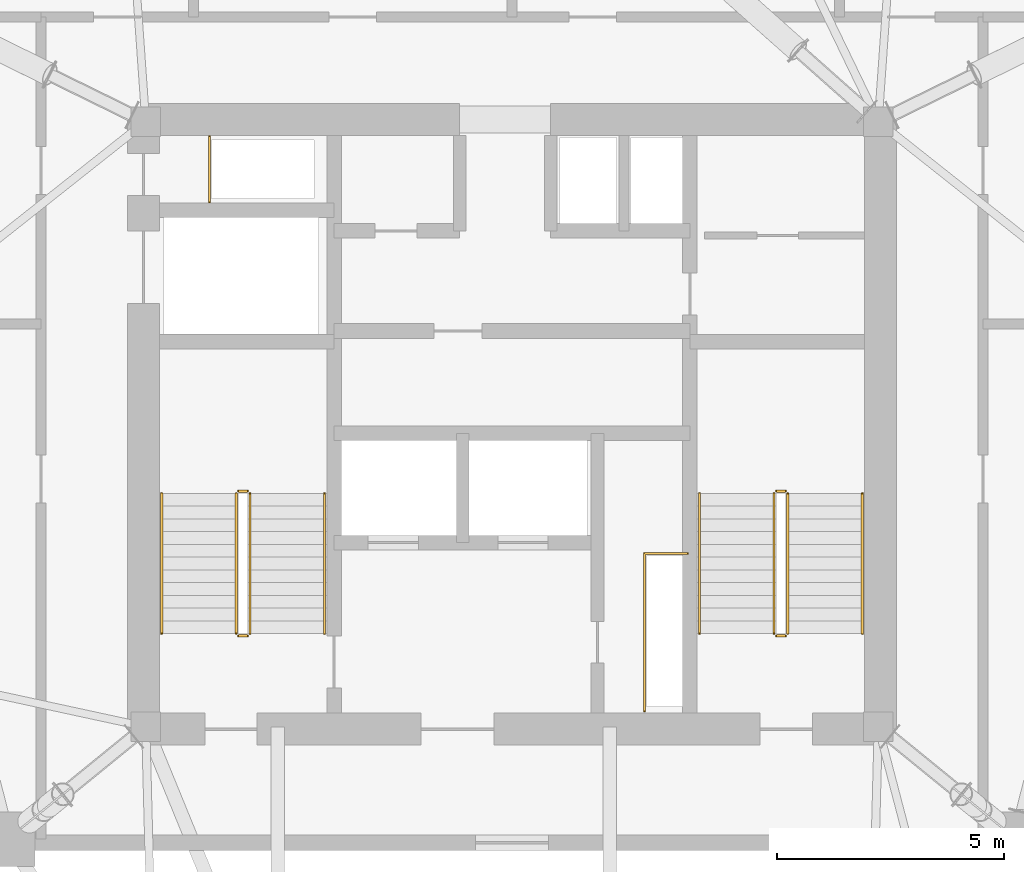
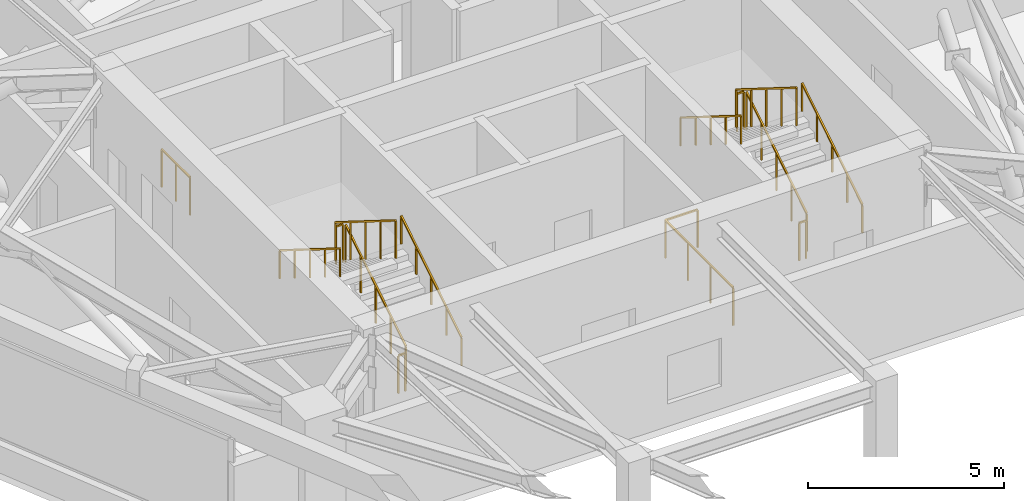
# One storey, part 9 of 9: 14 railings.
"""IFC4 building model written with IfcOpenShell, lengths in metres."""

from ifc_helpers import new_model, si_unit, direction, frame, origin, origin_2d, place, context, subcontext, project, spatial, rectangle, extrude, material, type_object, element, save


model = new_model("IFC4")

# Units and contexts
model_context = context("Model", 3, precision=1e-05, world=origin(), true_north=direction((0.0, 1.0)))
body_context = subcontext(model_context, "Body", "Model", "MODEL_VIEW")
ifc_project = project(units=[si_unit("LENGTHUNIT", "METRE"), si_unit("AREAUNIT", "SQUARE_METRE"), si_unit("VOLUMEUNIT", "CUBIC_METRE"), si_unit("PLANEANGLEUNIT", "RADIAN"), si_unit("MASSUNIT", "GRAM", prefix="KILO")], contexts=[model_context])

# Site, building, storey
site_placement = place(None, origin())
site = spatial("IfcSite", under=ifc_project, at=site_placement, CompositionType="ELEMENT")
building_placement = place(site_placement, origin())
building = spatial("IfcBuilding", under=site, at=building_placement, Name="Talyreon Biosciences Tower", CompositionType="ELEMENT")
storey_placement = place(building_placement, frame((0.0, 0.0, 279.60009765625)))
storey = spatial("IfcBuildingStorey", under=building, at=storey_placement, Name="L74", CompositionType="ELEMENT", Elevation=279.60009765625)

# Railings
ifc_material_1 = material(Name="Brushed stainless-steel tubular handrail", Category="steel")
railing_type_1 = type_object("IfcRailingType", Name="StairWallHandrail_900", PredefinedType="HANDRAIL", material=ifc_material_1)
railing_1_placement = place(storey_placement, frame((61.8798828125, 63.39990234375, 0.1748046875)))
element("IfcRailing", 1, at=railing_1_placement, inside=storey, type_object=railing_type_1, Name="L74 ST-1 stair handrail 1", PredefinedType="HANDRAIL", context=body_context, shape_type="SweptSolid", body=[
    extrude(rectangle(XDim=0.048095703125, YDim=0.048095703125, at=origin_2d()), frame((0.0, 0.0, 0.8759765625), z_axis=(0.0, 0.847998304005, 0.529998940003), x_axis=(-1.0, 0.0, 0.0)), (0.0, 0.0, 1.0), 3.632080078125),
    extrude(rectangle(XDim=0.0419921875, YDim=0.0419921875, at=origin_2d()), origin(), (0.0, 0.0, 1.0), 0.851806640625),
    extrude(rectangle(XDim=0.0419921875, YDim=0.0419921875, at=origin_2d()), frame((0.0, 0.77001953125, 0.481201171875)), (0.0, 0.0, 1.0), 0.851806640625),
    extrude(rectangle(XDim=0.0419921875, YDim=0.0419921875, at=origin_2d()), frame((0.0, 1.5400390625, 0.96240234375)), (0.0, 0.0, 1.0), 0.851806640625),
    extrude(rectangle(XDim=0.0419921875, YDim=0.0419921875, at=origin_2d()), frame((0.0, 2.31005859375, 1.44384765625)), (0.0, 0.0, 1.0), 0.851806640625),
    extrude(rectangle(XDim=0.0419921875, YDim=0.0419921875, at=origin_2d()), frame((0.0, 3.080078125, 1.925048828125)), (0.0, 0.0, 1.0), 0.851806640625),
])
railing_2_placement = place(storey_placement, frame((58.300048828125, 66.47998046875, 2.27490234375)))
element("IfcRailing", 2, at=railing_2_placement, inside=storey, type_object=railing_type_1, Name="L74 ST-1 stair handrail 2", PredefinedType="HANDRAIL", context=body_context, shape_type="SweptSolid", body=[
    extrude(rectangle(XDim=0.048095703125, YDim=0.048095703125, at=origin_2d()), frame((0.0, 0.0, 0.8759765625), z_axis=(0.0, -0.847998304005, 0.529998940003), x_axis=(1.0, 0.0, 0.0)), (0.0, 0.0, 1.0), 3.632080078125),
    extrude(rectangle(XDim=0.0419921875, YDim=0.0419921875, at=origin_2d()), origin(), (0.0, 0.0, 1.0), 0.851806640625),
    extrude(rectangle(XDim=0.0419921875, YDim=0.0419921875, at=origin_2d()), frame((0.0, -0.77001953125, 0.481201171875)), (0.0, 0.0, 1.0), 0.851806640625),
    extrude(rectangle(XDim=0.0419921875, YDim=0.0419921875, at=origin_2d()), frame((0.0, -1.5400390625, 0.96240234375)), (0.0, 0.0, 1.0), 0.851806640625),
    extrude(rectangle(XDim=0.0419921875, YDim=0.0419921875, at=origin_2d()), frame((0.0, -2.31005859375, 1.44384765625)), (0.0, 0.0, 1.0), 0.851806640625),
    extrude(rectangle(XDim=0.0419921875, YDim=0.0419921875, at=origin_2d()), frame((0.0, -3.080078125, 1.925048828125)), (0.0, 0.0, 1.0), 0.851806640625),
])
railing_3_placement = place(storey_placement, frame((73.699951171875, 63.39990234375, 0.1748046875)))
element("IfcRailing", 3, at=railing_3_placement, inside=storey, type_object=railing_type_1, Name="L74 ST-2 stair handrail 1", PredefinedType="HANDRAIL", context=body_context, shape_type="SweptSolid", body=[
    extrude(rectangle(XDim=0.048095703125, YDim=0.048095703125, at=origin_2d()), frame((0.0, 0.0, 0.8759765625), z_axis=(0.0, 0.847998304005, 0.529998940003), x_axis=(-1.0, 0.0, 0.0)), (0.0, 0.0, 1.0), 3.632080078125),
    extrude(rectangle(XDim=0.0419921875, YDim=0.0419921875, at=origin_2d()), origin(), (0.0, 0.0, 1.0), 0.851806640625),
    extrude(rectangle(XDim=0.0419921875, YDim=0.0419921875, at=origin_2d()), frame((0.0, 0.77001953125, 0.481201171875)), (0.0, 0.0, 1.0), 0.851806640625),
    extrude(rectangle(XDim=0.0419921875, YDim=0.0419921875, at=origin_2d()), frame((0.0, 1.5400390625, 0.96240234375)), (0.0, 0.0, 1.0), 0.851806640625),
    extrude(rectangle(XDim=0.0419921875, YDim=0.0419921875, at=origin_2d()), frame((0.0, 2.31005859375, 1.44384765625)), (0.0, 0.0, 1.0), 0.851806640625),
    extrude(rectangle(XDim=0.0419921875, YDim=0.0419921875, at=origin_2d()), frame((0.0, 3.080078125, 1.925048828125)), (0.0, 0.0, 1.0), 0.851806640625),
])
railing_4_placement = place(storey_placement, frame((70.1201171875, 66.47998046875, 2.27490234375)))
element("IfcRailing", 4, at=railing_4_placement, inside=storey, type_object=railing_type_1, Name="L74 ST-2 stair handrail 2", PredefinedType="HANDRAIL", context=body_context, shape_type="SweptSolid", body=[
    extrude(rectangle(XDim=0.048095703125, YDim=0.048095703125, at=origin_2d()), frame((0.0, 0.0, 0.8759765625), z_axis=(0.0, -0.847998304005, 0.529998940003), x_axis=(1.0, 0.0, 0.0)), (0.0, 0.0, 1.0), 3.632080078125),
    extrude(rectangle(XDim=0.0419921875, YDim=0.0419921875, at=origin_2d()), origin(), (0.0, 0.0, 1.0), 0.851806640625),
    extrude(rectangle(XDim=0.0419921875, YDim=0.0419921875, at=origin_2d()), frame((0.0, -0.77001953125, 0.481201171875)), (0.0, 0.0, 1.0), 0.851806640625),
    extrude(rectangle(XDim=0.0419921875, YDim=0.0419921875, at=origin_2d()), frame((0.0, -1.5400390625, 0.96240234375)), (0.0, 0.0, 1.0), 0.851806640625),
    extrude(rectangle(XDim=0.0419921875, YDim=0.0419921875, at=origin_2d()), frame((0.0, -2.31005859375, 1.44384765625)), (0.0, 0.0, 1.0), 0.851806640625),
    extrude(rectangle(XDim=0.0419921875, YDim=0.0419921875, at=origin_2d()), frame((0.0, -3.080078125, 1.925048828125)), (0.0, 0.0, 1.0), 0.851806640625),
])
ifc_material_2 = material(Name="Painted galvanised steel post-and-rail balustrade", Category="steel")
railing_type_2 = type_object("IfcRailingType", Name="TerraceStairGuard_1200", PredefinedType="GUARDRAIL", material=ifc_material_2)
railing_5_placement = place(storey_placement, frame((60.239990234375, 63.39990234375, 0.1748046875)))
element("IfcRailing", 5, at=railing_5_placement, inside=storey, type_object=railing_type_2, Name="L74 ST-1 stair guard 1", PredefinedType="GUARDRAIL", context=body_context, shape_type="SweptSolid", body=[
    extrude(rectangle(XDim=0.048095703125, YDim=0.048095703125, at=origin_2d()), frame((0.0, 0.0, 1.17578125), z_axis=(0.0, 0.847998304005, 0.529998940003), x_axis=(-1.0, 0.0, 0.0)), (0.0, 0.0, 1.0), 3.632080078125),
    extrude(rectangle(XDim=0.0419921875, YDim=0.0419921875, at=origin_2d()), origin(), (0.0, 0.0, 1.0), 1.15185546875),
    extrude(rectangle(XDim=0.0419921875, YDim=0.0419921875, at=origin_2d()), frame((0.0, 0.77001953125, 0.481201171875)), (0.0, 0.0, 1.0), 1.15185546875),
    extrude(rectangle(XDim=0.0419921875, YDim=0.0419921875, at=origin_2d()), frame((0.0, 1.5400390625, 0.96240234375)), (0.0, 0.0, 1.0), 1.15185546875),
    extrude(rectangle(XDim=0.0419921875, YDim=0.0419921875, at=origin_2d()), frame((0.0, 2.31005859375, 1.44384765625)), (0.0, 0.0, 1.0), 1.15185546875),
    extrude(rectangle(XDim=0.0419921875, YDim=0.0419921875, at=origin_2d()), frame((0.0, 3.080078125, 1.925048828125)), (0.0, 0.0, 1.0), 1.15185546875),
])
railing_6_placement = place(storey_placement, frame((60.18994140625, 66.530029296875, 2.099853515625)))
element("IfcRailing", 6, at=railing_6_placement, inside=storey, type_object=railing_type_2, Name="L74 ST-1 stair guard 2", PredefinedType="GUARDRAIL", context=body_context, shape_type="SweptSolid", body=[
    extrude(rectangle(XDim=0.048095703125, YDim=0.048095703125, at=origin_2d()), frame((0.0, 0.0, 1.17578125), z_axis=(-1.0, 0.0, 0.0), x_axis=(0.0, -1.0, 0.0)), (0.0, 0.0, 1.0), 0.199951171875),
    extrude(rectangle(XDim=0.0419921875, YDim=0.0419921875, at=origin_2d()), origin(), (0.0, 0.0, 1.0), 1.15185546875),
    extrude(rectangle(XDim=0.0419921875, YDim=0.0419921875, at=origin_2d()), frame((-0.199951171875, 0.0, 0.0)), (0.0, 0.0, 1.0), 1.15185546875),
])
railing_7_placement = place(storey_placement, frame((59.93994140625, 66.47998046875, 2.27490234375)))
element("IfcRailing", 7, at=railing_7_placement, inside=storey, type_object=railing_type_2, Name="L74 ST-1 stair guard 3", PredefinedType="GUARDRAIL", context=body_context, shape_type="SweptSolid", body=[
    extrude(rectangle(XDim=0.048095703125, YDim=0.048095703125, at=origin_2d()), frame((0.0, 0.0, 1.17578125), z_axis=(0.0, -0.847998304005, 0.529998940003), x_axis=(1.0, 0.0, 0.0)), (0.0, 0.0, 1.0), 3.632080078125),
    extrude(rectangle(XDim=0.0419921875, YDim=0.0419921875, at=origin_2d()), origin(), (0.0, 0.0, 1.0), 1.15185546875),
    extrude(rectangle(XDim=0.0419921875, YDim=0.0419921875, at=origin_2d()), frame((0.0, -0.77001953125, 0.481201171875)), (0.0, 0.0, 1.0), 1.15185546875),
    extrude(rectangle(XDim=0.0419921875, YDim=0.0419921875, at=origin_2d()), frame((0.0, -1.5400390625, 0.96240234375)), (0.0, 0.0, 1.0), 1.15185546875),
    extrude(rectangle(XDim=0.0419921875, YDim=0.0419921875, at=origin_2d()), frame((0.0, -2.31005859375, 1.44384765625)), (0.0, 0.0, 1.0), 1.15185546875),
    extrude(rectangle(XDim=0.0419921875, YDim=0.0419921875, at=origin_2d()), frame((0.0, -3.080078125, 1.925048828125)), (0.0, 0.0, 1.0), 1.15185546875),
])
railing_8_placement = place(storey_placement, frame((60.18994140625, 63.35009765625, 0.0)))
element("IfcRailing", 8, at=railing_8_placement, inside=storey, type_object=railing_type_2, Name="L74 ST-1 stair guard 4", PredefinedType="GUARDRAIL", context=body_context, shape_type="SweptSolid", body=[
    extrude(rectangle(XDim=0.048095703125, YDim=0.048095703125, at=origin_2d()), frame((0.0, 0.0, 1.17578125), z_axis=(-1.0, 0.0, 0.0), x_axis=(0.0, -1.0, 0.0)), (0.0, 0.0, 1.0), 0.199951171875),
    extrude(rectangle(XDim=0.0419921875, YDim=0.0419921875, at=origin_2d()), origin(), (0.0, 0.0, 1.0), 1.15185546875),
    extrude(rectangle(XDim=0.0419921875, YDim=0.0419921875, at=origin_2d()), frame((-0.199951171875, 0.0, 0.0)), (0.0, 0.0, 1.0), 1.15185546875),
])
railing_9_placement = place(storey_placement, frame((72.06005859375, 63.39990234375, 0.1748046875)))
element("IfcRailing", 9, at=railing_9_placement, inside=storey, type_object=railing_type_2, Name="L74 ST-2 stair guard 1", PredefinedType="GUARDRAIL", context=body_context, shape_type="SweptSolid", body=[
    extrude(rectangle(XDim=0.048095703125, YDim=0.048095703125, at=origin_2d()), frame((0.0, 0.0, 1.17578125), z_axis=(0.0, 0.847998304005, 0.529998940003), x_axis=(-1.0, 0.0, 0.0)), (0.0, 0.0, 1.0), 3.632080078125),
    extrude(rectangle(XDim=0.0419921875, YDim=0.0419921875, at=origin_2d()), origin(), (0.0, 0.0, 1.0), 1.15185546875),
    extrude(rectangle(XDim=0.0419921875, YDim=0.0419921875, at=origin_2d()), frame((0.0, 0.77001953125, 0.481201171875)), (0.0, 0.0, 1.0), 1.15185546875),
    extrude(rectangle(XDim=0.0419921875, YDim=0.0419921875, at=origin_2d()), frame((0.0, 1.5400390625, 0.96240234375)), (0.0, 0.0, 1.0), 1.15185546875),
    extrude(rectangle(XDim=0.0419921875, YDim=0.0419921875, at=origin_2d()), frame((0.0, 2.31005859375, 1.44384765625)), (0.0, 0.0, 1.0), 1.15185546875),
    extrude(rectangle(XDim=0.0419921875, YDim=0.0419921875, at=origin_2d()), frame((0.0, 3.080078125, 1.925048828125)), (0.0, 0.0, 1.0), 1.15185546875),
])
railing_10_placement = place(storey_placement, frame((72.010009765625, 66.530029296875, 2.099853515625)))
element("IfcRailing", 10, at=railing_10_placement, inside=storey, type_object=railing_type_2, Name="L74 ST-2 stair guard 2", PredefinedType="GUARDRAIL", context=body_context, shape_type="SweptSolid", body=[
    extrude(rectangle(XDim=0.048095703125, YDim=0.048095703125, at=origin_2d()), frame((0.0, 0.0, 1.17578125), z_axis=(-1.0, 0.0, 0.0), x_axis=(0.0, -1.0, 0.0)), (0.0, 0.0, 1.0), 0.199951171875),
    extrude(rectangle(XDim=0.0419921875, YDim=0.0419921875, at=origin_2d()), origin(), (0.0, 0.0, 1.0), 1.15185546875),
    extrude(rectangle(XDim=0.0419921875, YDim=0.0419921875, at=origin_2d()), frame((-0.199951171875, 0.0, 0.0)), (0.0, 0.0, 1.0), 1.15185546875),
])
railing_11_placement = place(storey_placement, frame((71.760009765625, 66.47998046875, 2.27490234375)))
element("IfcRailing", 11, at=railing_11_placement, inside=storey, type_object=railing_type_2, Name="L74 ST-2 stair guard 3", PredefinedType="GUARDRAIL", context=body_context, shape_type="SweptSolid", body=[
    extrude(rectangle(XDim=0.048095703125, YDim=0.048095703125, at=origin_2d()), frame((0.0, 0.0, 1.17578125), z_axis=(0.0, -0.847998304005, 0.529998940003), x_axis=(1.0, 0.0, 0.0)), (0.0, 0.0, 1.0), 3.632080078125),
    extrude(rectangle(XDim=0.0419921875, YDim=0.0419921875, at=origin_2d()), origin(), (0.0, 0.0, 1.0), 1.15185546875),
    extrude(rectangle(XDim=0.0419921875, YDim=0.0419921875, at=origin_2d()), frame((0.0, -0.77001953125, 0.481201171875)), (0.0, 0.0, 1.0), 1.15185546875),
    extrude(rectangle(XDim=0.0419921875, YDim=0.0419921875, at=origin_2d()), frame((0.0, -1.5400390625, 0.96240234375)), (0.0, 0.0, 1.0), 1.15185546875),
    extrude(rectangle(XDim=0.0419921875, YDim=0.0419921875, at=origin_2d()), frame((0.0, -2.31005859375, 1.44384765625)), (0.0, 0.0, 1.0), 1.15185546875),
    extrude(rectangle(XDim=0.0419921875, YDim=0.0419921875, at=origin_2d()), frame((0.0, -3.080078125, 1.925048828125)), (0.0, 0.0, 1.0), 1.15185546875),
])
railing_12_placement = place(storey_placement, frame((72.010009765625, 63.35009765625, 0.0)))
element("IfcRailing", 12, at=railing_12_placement, inside=storey, type_object=railing_type_2, Name="L74 ST-2 stair guard 4", PredefinedType="GUARDRAIL", context=body_context, shape_type="SweptSolid", body=[
    extrude(rectangle(XDim=0.048095703125, YDim=0.048095703125, at=origin_2d()), frame((0.0, 0.0, 1.17578125), z_axis=(-1.0, 0.0, 0.0), x_axis=(0.0, -1.0, 0.0)), (0.0, 0.0, 1.0), 0.199951171875),
    extrude(rectangle(XDim=0.0419921875, YDim=0.0419921875, at=origin_2d()), origin(), (0.0, 0.0, 1.0), 1.15185546875),
    extrude(rectangle(XDim=0.0419921875, YDim=0.0419921875, at=origin_2d()), frame((-0.199951171875, 0.0, 0.0)), (0.0, 0.0, 1.0), 1.15185546875),
])
railing_13_placement = place(storey_placement, frame((59.35009765625, 72.8798828125, 0.0)))
element("IfcRailing", 13, at=railing_13_placement, inside=storey, type_object=railing_type_2, Name="L74 Exhaust Riser Maintenance Guardrail", PredefinedType="GUARDRAIL", context=body_context, shape_type="SweptSolid", body=[
    extrude(rectangle(XDim=0.048095703125, YDim=0.048095703125, at=origin_2d()), frame((0.0, 0.0, 1.17578125), z_axis=(0.0, 1.0, 0.0), x_axis=(-1.0, 0.0, 0.0)), (0.0, 0.0, 1.0), 1.4501953125),
    extrude(rectangle(XDim=0.0419921875, YDim=0.0419921875, at=origin_2d()), origin(), (0.0, 0.0, 1.0), 1.15185546875),
    extrude(rectangle(XDim=0.0419921875, YDim=0.0419921875, at=origin_2d()), frame((0.0, 0.72509765625, 0.0)), (0.0, 0.0, 1.0), 1.15185546875),
    extrude(rectangle(XDim=0.0419921875, YDim=0.0419921875, at=origin_2d()), frame((0.0, 1.4501953125, 0.0)), (0.0, 0.0, 1.0), 1.15185546875),
])
railing_14_placement = place(storey_placement, frame((68.909912109375, 61.699951171875, 0.0)))
element("IfcRailing", 14, at=railing_14_placement, inside=storey, type_object=railing_type_2, Name="L74 Electrical Riser Maintenance Guardrail", PredefinedType="GUARDRAIL", context=body_context, shape_type="SweptSolid", body=[
    extrude(rectangle(XDim=0.048095703125, YDim=0.048095703125, at=origin_2d()), frame((0.0, 0.0, 1.17578125), z_axis=(0.0, 1.0, 0.0), x_axis=(-1.0, 0.0, 0.0)), (0.0, 0.0, 1.0), 3.4599609375),
    extrude(rectangle(XDim=0.048095703125, YDim=0.048095703125, at=origin_2d()), frame((0.0, 3.4599609375, 1.17578125), z_axis=(1.0, 0.0, 0.0), x_axis=(0.0, 1.0, 0.0)), (0.0, 0.0, 1.0), 0.9501953125),
    extrude(rectangle(XDim=0.0419921875, YDim=0.0419921875, at=origin_2d()), origin(), (0.0, 0.0, 1.0), 1.15185546875),
    extrude(rectangle(XDim=0.0419921875, YDim=0.0419921875, at=origin_2d()), frame((0.0, 1.1533203125, 0.0)), (0.0, 0.0, 1.0), 1.15185546875),
    extrude(rectangle(XDim=0.0419921875, YDim=0.0419921875, at=origin_2d()), frame((0.0, 2.306640625, 0.0)), (0.0, 0.0, 1.0), 1.15185546875),
    extrude(rectangle(XDim=0.0419921875, YDim=0.0419921875, at=origin_2d()), frame((0.0, 3.4599609375, 0.0)), (0.0, 0.0, 1.0), 1.15185546875),
    extrude(rectangle(XDim=0.0419921875, YDim=0.0419921875, at=origin_2d()), frame((0.9501953125, 3.4599609375, 0.0)), (0.0, 0.0, 1.0), 1.15185546875),
])

save(model, "model.ifc")
